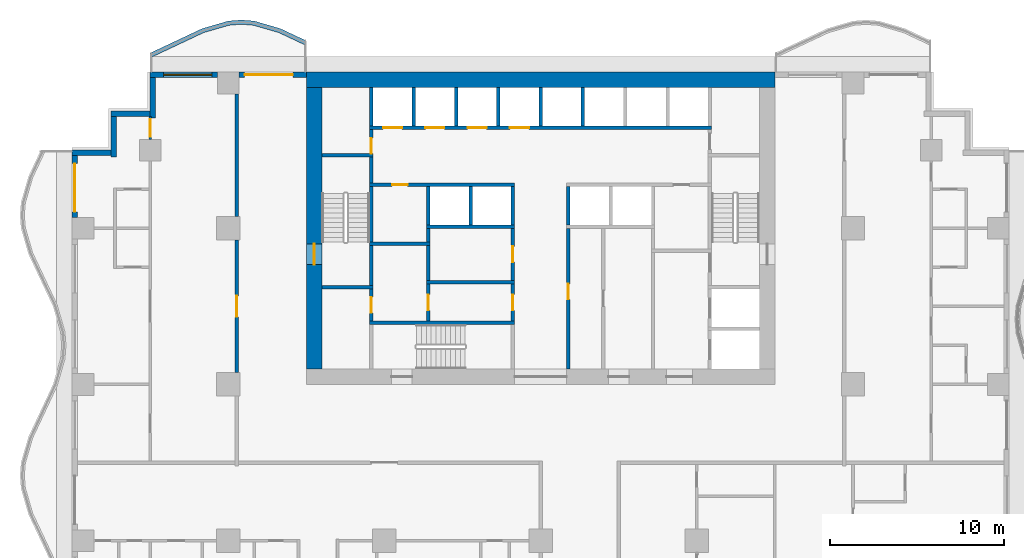
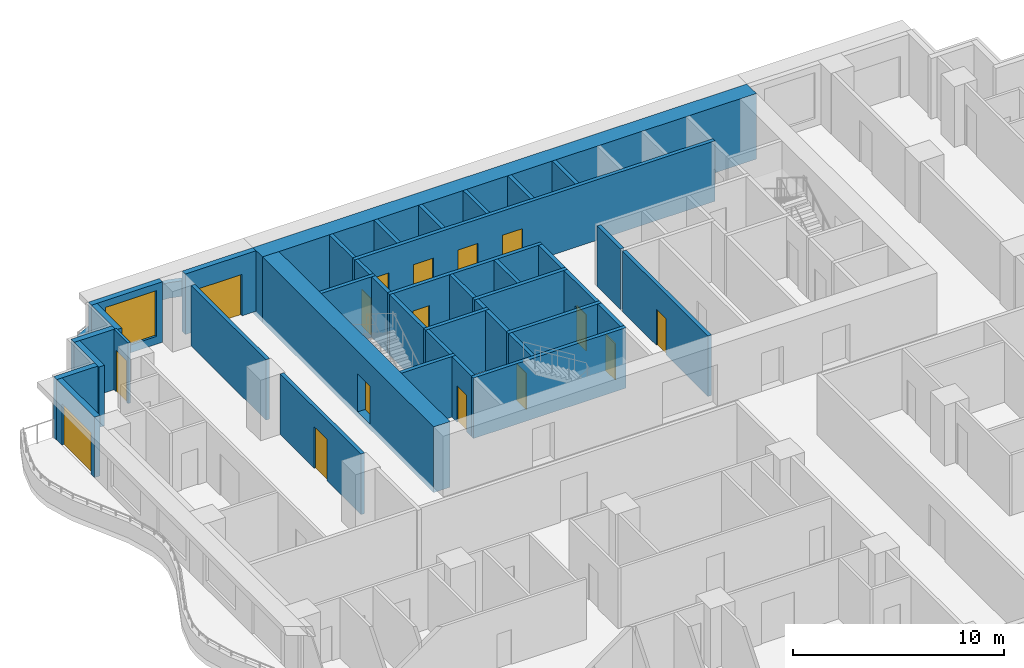
# One storey, part 5 of 14: 42 walls, 16 doors, 1 window, 17 openings.
"""IFC4 building model written with IfcOpenShell, lengths in metres."""

from ifc_helpers import new_model, si_unit, direction, frame, frame_2d, origin, place, context, subcontext, project, spatial, polyline, rectangle, outline, extrude, material, layer, layer_set, type_object, element, fill, save


model = new_model("IFC4")

# Units and contexts
model_context = context("Model", 3, precision=1e-05, world=origin(), true_north=direction((0.0, 1.0)))
body_context = subcontext(model_context, "Body", "Model", "MODEL_VIEW")
ifc_project = project(units=[si_unit("LENGTHUNIT", "METRE"), si_unit("AREAUNIT", "SQUARE_METRE"), si_unit("VOLUMEUNIT", "CUBIC_METRE"), si_unit("PLANEANGLEUNIT", "RADIAN"), si_unit("MASSUNIT", "GRAM", prefix="KILO")], contexts=[model_context])

# Site, building, storey
site_placement = place(None, origin())
site = spatial("IfcSite", under=ifc_project, at=site_placement, CompositionType="ELEMENT")
building_placement = place(site_placement, origin())
building = spatial("IfcBuilding", under=site, at=building_placement, Name="Orbiselva Terraces", CompositionType="ELEMENT")
storey_placement = place(building_placement, frame((0.0, 0.0, 107.4)))
storey = spatial("IfcBuildingStorey", under=building, at=storey_placement, Name="L27", CompositionType="ELEMENT", Elevation=107.4)

# Wall, opening, door
ifc_material_1 = material(Name="Concrete C80/95", Category="concrete")
ifc_layer_1 = layer(ifc_material_1, 0.9)
ifc_layer_set_1 = layer_set([ifc_layer_1], Name="Concrete C80/95")
wall_type_1 = type_object("IfcWallType", Name="CORE WALL 900", PredefinedType="SHEAR", material=ifc_layer_set_1)
wall_1_placement = place(storey_placement, frame((-13.05, 21.6, -0.3), z_axis=(0.0, 0.0, 1.0), x_axis=(0.0, -1.0, 0.0)))
wall_1 = element("IfcWall", 1, at=wall_1_placement, inside=storey, type_object=wall_type_1, Name="Core wall L27 west", PredefinedType="SHEAR", context=body_context, shape_type="SweptSolid", body=[
    extrude(rectangle(XDim=16.2, YDim=0.9, at=frame_2d((8.1, 0.0))), origin(), (0.0, 0.0, 1.0), 3.8),
])
opening_1_placement = place(wall_1_placement, frame((9.0, 0.0, 0.3)))
opening_1 = element("IfcOpeningElement", 2, at=opening_1_placement, cuts=wall_1, Name="Opening DS1200", PredefinedType="OPENING", context=body_context, shape_type="SweptSolid", body=[
    extrude(rectangle(XDim=1.2, YDim=2.2, at=frame_2d((0.6, 1.1))), frame((0.0, 0.46, 0.0), z_axis=(0.0, -1.0, 0.0), x_axis=(1.0, 0.0, 0.0)), (0.0, 0.0, 1.0), 0.92),
])
ifc_material_2 = material(Name="Steel fire door", Category="steel")
door_type_1 = type_object("IfcDoorType", Name="STAIR DOOR 1200", OperationType="NOTDEFINED", PredefinedType="DOOR", material=ifc_material_2)
door_1_placement = place(opening_1_placement, frame((1.2, 0.0, 0.0), z_axis=(0.0, 0.0, 1.0), x_axis=(-1.0, 0.0, 0.0)))
door_1 = element("IfcDoor", 3, at=door_1_placement, inside=storey, type_object=door_type_1, Name="L27 EXIT STAIR S1 door", OperationType="SINGLE_SWING_RIGHT", OverallHeight=2.2, OverallWidth=1.2, PredefinedType="DOOR", context=body_context, shape_type="SweptSolid", body=[
    extrude(rectangle(XDim=1.2, YDim=2.2, at=frame_2d((0.6, 1.1))), frame((0.0, 0.025, 0.0), z_axis=(0.0, -1.0, 0.0), x_axis=(1.0, 0.0, 0.0)), (0.0, 0.0, 1.0), 0.05),
])
fill(opening_1, door_1)

# Wall
ifc_layer_2 = layer(ifc_material_1, 0.9)
ifc_layer_set_2 = layer_set([ifc_layer_2], Name="Concrete C80/95")
wall_type_2 = type_object("IfcWallType", Name="CORE WALL 900 EXTERNAL", PredefinedType="SHEAR", material=ifc_layer_set_2)
wall_2_placement = place(storey_placement, frame((13.5, 22.05, -0.3), z_axis=(0.0, 0.0, 1.0), x_axis=(-1.0, 0.0, 0.0)))
element("IfcWall", 4, at=wall_2_placement, inside=storey, type_object=wall_type_2, Name="Core wall L27 north", PredefinedType="SHEAR", context=body_context, shape_type="SweptSolid", body=[
    extrude(rectangle(XDim=27.0, YDim=0.9, at=frame_2d((13.5, 0.0))), origin(), (0.0, 0.0, 1.0), 3.8),
])

# Wall, opening, door
ifc_material_3 = material(Name="Masonry blockwork", Category="masonry")
ifc_layer_3 = layer(ifc_material_3, 0.2)
ifc_layer_set_3 = layer_set([ifc_layer_3], Name="Masonry blockwork")
wall_type_3 = type_object("IfcWallType", Name="CORE-WALL-PARTITION-200", PredefinedType="PARTITIONING", material=ifc_layer_set_3)
wall_3_placement = place(storey_placement, frame((-9.75, 8.15, 0.0), z_axis=(0.0, 0.0, 1.0), x_axis=(0.0, 1.0, 0.0)))
wall_3 = element("IfcWall", 5, at=wall_3_placement, inside=storey, type_object=wall_type_3, Name="L27 core wall 05", PredefinedType="PARTITIONING", context=body_context, shape_type="SweptSolid", body=[
    extrude(rectangle(XDim=1.85, YDim=0.2, at=frame_2d((0.925, 0.0))), origin(), (0.0, 0.0, 1.0), 3.5),
])
opening_2_placement = place(wall_3_placement, frame((0.475, 0.0, 0.0)))
opening_2 = element("IfcOpeningElement", 6, at=opening_2_placement, cuts=wall_3, Name="Opening DR900", PredefinedType="OPENING", context=body_context, shape_type="SweptSolid", body=[
    extrude(rectangle(XDim=0.9, YDim=2.1, at=frame_2d((0.45, 1.05))), frame((0.0, 0.11, 0.0), z_axis=(0.0, -1.0, 0.0), x_axis=(1.0, 0.0, 0.0)), (0.0, 0.0, 1.0), 0.22),
])
door_type_2 = type_object("IfcDoorType", Name="ROOM DOOR 900", OperationType="NOTDEFINED", PredefinedType="DOOR", material=ifc_material_2)
door_2_placement = place(opening_2_placement, origin())
door_2 = element("IfcDoor", 7, at=door_2_placement, inside=storey, type_object=door_type_2, Name="L27 CLEANERS STORE door", OperationType="SINGLE_SWING_RIGHT", OverallHeight=2.1, OverallWidth=0.9, PredefinedType="DOOR", context=body_context, shape_type="SweptSolid", body=[
    extrude(rectangle(XDim=0.9, YDim=2.1, at=frame_2d((0.45, 1.05))), frame((0.0, 0.025, 0.0), z_axis=(0.0, -1.0, 0.0), x_axis=(1.0, 0.0, 0.0)), (0.0, 0.0, 1.0), 0.05),
])
fill(opening_2, door_2)

wall_4_placement = place(storey_placement, frame((-9.75, 17.8, 0.0), z_axis=(0.0, 0.0, 1.0), x_axis=(0.0, 1.0, 0.0)))
wall_4 = element("IfcWall", 8, at=wall_4_placement, inside=storey, type_object=wall_type_3, Name="L27 core wall 11", PredefinedType="PARTITIONING", context=body_context, shape_type="SweptSolid", body=[
    extrude(rectangle(XDim=1.4, YDim=0.2, at=frame_2d((0.7, 0.0))), origin(), (0.0, 0.0, 1.0), 3.5),
])
opening_3_placement = place(wall_4_placement, origin())
opening_3 = element("IfcOpeningElement", 9, at=opening_3_placement, cuts=wall_4, Name="Opening DR900", PredefinedType="OPENING", context=body_context, shape_type="SweptSolid", body=[
    extrude(rectangle(XDim=0.9, YDim=2.1, at=frame_2d((0.45, 1.05))), frame((0.0, 0.11, 0.0), z_axis=(0.0, -1.0, 0.0), x_axis=(1.0, 0.0, 0.0)), (0.0, 0.0, 1.0), 0.22),
])
door_3_placement = place(opening_3_placement, origin())
door_3 = element("IfcDoor", 10, at=door_3_placement, inside=storey, type_object=door_type_2, Name="L27 ELECTRICAL RISER ROOM door", OperationType="SINGLE_SWING_LEFT", OverallHeight=2.1, OverallWidth=0.9, PredefinedType="DOOR", context=body_context, shape_type="SweptSolid", body=[
    extrude(rectangle(XDim=0.9, YDim=2.1, at=frame_2d((0.45, 1.05))), frame((0.0, 0.025, 0.0), z_axis=(0.0, -1.0, 0.0), x_axis=(1.0, 0.0, 0.0)), (0.0, 0.0, 1.0), 0.05),
])
fill(opening_3, door_3)

wall_5_placement = place(storey_placement, frame((-6.475, 8.15, 0.0), z_axis=(0.0, 0.0, 1.0), x_axis=(0.0, 1.0, 0.0)))
wall_5 = element("IfcWall", 11, at=wall_5_placement, inside=storey, type_object=wall_type_3, Name="L27 core wall 15", PredefinedType="PARTITIONING", context=body_context, shape_type="SweptSolid", body=[
    extrude(rectangle(XDim=2.15, YDim=0.2, at=frame_2d((1.075, 0.0))), origin(), (0.0, 0.0, 1.0), 3.5),
])
opening_4_placement = place(wall_5_placement, frame((0.625, 0.0, 0.0)))
opening_4 = element("IfcOpeningElement", 12, at=opening_4_placement, cuts=wall_5, Name="Opening DR900", PredefinedType="OPENING", context=body_context, shape_type="SweptSolid", body=[
    extrude(rectangle(XDim=0.9, YDim=2.1, at=frame_2d((0.45, 1.05))), frame((0.0, 0.11, 0.0), z_axis=(0.0, -1.0, 0.0), x_axis=(1.0, 0.0, 0.0)), (0.0, 0.0, 1.0), 0.22),
])
door_4_placement = place(opening_4_placement, origin())
door_4 = element("IfcDoor", 13, at=door_4_placement, inside=storey, type_object=door_type_2, Name="L27 STAFF ROOM door", OperationType="SINGLE_SWING_LEFT", OverallHeight=2.1, OverallWidth=0.9, PredefinedType="DOOR", context=body_context, shape_type="SweptSolid", body=[
    extrude(rectangle(XDim=0.9, YDim=2.1, at=frame_2d((0.45, 1.05))), frame((0.0, 0.025, 0.0), z_axis=(0.0, -1.0, 0.0), x_axis=(1.0, 0.0, 0.0)), (0.0, 0.0, 1.0), 0.05),
])
fill(opening_4, door_4)

# Walls
wall_6_placement = place(storey_placement, frame((-6.475, 10.5, 0.0), z_axis=(0.0, 0.0, 1.0), x_axis=(0.0, 1.0, 0.0)))
element("IfcWall", 14, at=wall_6_placement, inside=storey, type_object=wall_type_3, Name="L27 core wall 17", PredefinedType="PARTITIONING", context=body_context, shape_type="SweptSolid", body=[
    extrude(rectangle(XDim=2.0, YDim=0.2, at=frame_2d((1.0, 0.0))), origin(), (0.0, 0.0, 1.0), 3.5),
])
wall_7_placement = place(storey_placement, frame((-6.475, 12.7, 0.0), z_axis=(0.0, 0.0, 1.0), x_axis=(0.0, 1.0, 0.0)))
element("IfcWall", 15, at=wall_7_placement, inside=storey, type_object=wall_type_3, Name="L27 core wall 18", PredefinedType="PARTITIONING", context=body_context, shape_type="SweptSolid", body=[
    extrude(rectangle(XDim=0.8, YDim=0.2, at=frame_2d((0.4, 0.0))), origin(), (0.0, 0.0, 1.0), 3.5),
])

# Wall, opening, door
wall_8_placement = place(storey_placement, frame((-1.6, 8.15, 0.0), z_axis=(0.0, 0.0, 1.0), x_axis=(0.0, 1.0, 0.0)))
wall_8 = element("IfcWall", 16, at=wall_8_placement, inside=storey, type_object=wall_type_3, Name="L27 core wall 25", PredefinedType="PARTITIONING", context=body_context, shape_type="SweptSolid", body=[
    extrude(rectangle(XDim=2.15, YDim=0.2, at=frame_2d((1.075, 0.0))), origin(), (0.0, 0.0, 1.0), 3.5),
])
opening_5_placement = place(wall_8_placement, frame((0.625, 0.0, 0.0)))
opening_5 = element("IfcOpeningElement", 17, at=opening_5_placement, cuts=wall_8, Name="Opening DR900", PredefinedType="OPENING", context=body_context, shape_type="SweptSolid", body=[
    extrude(rectangle(XDim=0.9, YDim=2.1, at=frame_2d((0.45, 1.05))), frame((0.0, 0.11, 0.0), z_axis=(0.0, -1.0, 0.0), x_axis=(1.0, 0.0, 0.0)), (0.0, 0.0, 1.0), 0.22),
])
door_5_placement = place(opening_5_placement, origin())
door_5 = element("IfcDoor", 18, at=door_5_placement, inside=storey, type_object=door_type_2, Name="L27 SERVICE PANTRY door", OperationType="SINGLE_SWING_LEFT", OverallHeight=2.1, OverallWidth=0.9, PredefinedType="DOOR", context=body_context, shape_type="SweptSolid", body=[
    extrude(rectangle(XDim=0.9, YDim=2.1, at=frame_2d((0.45, 1.05))), frame((0.0, 0.025, 0.0), z_axis=(0.0, -1.0, 0.0), x_axis=(1.0, 0.0, 0.0)), (0.0, 0.0, 1.0), 0.05),
])
fill(opening_5, door_5)

wall_9_placement = place(storey_placement, frame((-1.6, 10.5, 0.0), z_axis=(0.0, 0.0, 1.0), x_axis=(0.0, 1.0, 0.0)))
wall_9 = element("IfcWall", 19, at=wall_9_placement, inside=storey, type_object=wall_type_3, Name="L27 core wall 26", PredefinedType="PARTITIONING", context=body_context, shape_type="SweptSolid", body=[
    extrude(rectangle(XDim=3.0, YDim=0.2, at=frame_2d((1.5, 0.0))), origin(), (0.0, 0.0, 1.0), 3.5),
])
opening_6_placement = place(wall_9_placement, frame((1.05, 0.0, 0.0)))
opening_6 = element("IfcOpeningElement", 20, at=opening_6_placement, cuts=wall_9, Name="Opening DR900", PredefinedType="OPENING", context=body_context, shape_type="SweptSolid", body=[
    extrude(rectangle(XDim=0.9, YDim=2.1, at=frame_2d((0.45, 1.05))), frame((0.0, 0.11, 0.0), z_axis=(0.0, -1.0, 0.0), x_axis=(1.0, 0.0, 0.0)), (0.0, 0.0, 1.0), 0.22),
])
door_6_placement = place(opening_6_placement, origin())
door_6 = element("IfcDoor", 21, at=door_6_placement, inside=storey, type_object=door_type_2, Name="L27 LINEN STORE door", OperationType="SINGLE_SWING_RIGHT", OverallHeight=2.1, OverallWidth=0.9, PredefinedType="DOOR", context=body_context, shape_type="SweptSolid", body=[
    extrude(rectangle(XDim=0.9, YDim=2.1, at=frame_2d((0.45, 1.05))), frame((0.0, 0.025, 0.0), z_axis=(0.0, -1.0, 0.0), x_axis=(1.0, 0.0, 0.0)), (0.0, 0.0, 1.0), 0.05),
])
fill(opening_6, door_6)

# Walls
ifc_material_4 = material(Name="Concrete C40/50", Category="concrete")
ifc_layer_4 = layer(ifc_material_4, 0.2)
ifc_layer_set_4 = layer_set([ifc_layer_4], Name="Concrete C40/50")
wall_type_4 = type_object("IfcWallType", Name="CORE-WALL-SHAFT-200", PredefinedType="PARTITIONING", material=ifc_layer_set_4)
for number, where, z_axis, x_axis, name in (
    (22, (-9.75, 19.4, 0.0), (0.0, 0.0, 1.0), (0.0, 1.0, 0.0), "L27 core wall 13"),
    (23, (-7.3125, 19.4, 0.0), (0.0, 0.0, 1.0), (0.0, 1.0, 0.0), "L27 core wall 14"),
    (24, (-6.475, 13.7, 0.0), (0.0, 0.0, 1.0), (0.0, 1.0, 0.0), "L27 core wall 20"),
    (25, (-4.875, 19.4, 0.0), (0.0, 0.0, 1.0), (0.0, 1.0, 0.0), "L27 core wall 21"),
    (26, (-4.0375, 13.7, 0.0), (0.0, 0.0, 1.0), (0.0, 1.0, 0.0), "L27 core wall 22"),
    (27, (-2.4375, 19.4, 0.0), (0.0, 0.0, 1.0), (0.0, 1.0, 0.0), "L27 core wall 23"),
    (28, (-1.6, 13.7, 0.0), (0.0, 0.0, 1.0), (0.0, 1.0, 0.0), "L27 core wall 27"),
    (29, (0.0, 19.4, 0.0), (0.0, 0.0, 1.0), (0.0, 1.0, 0.0), "L27 core wall 28"),
    (30, (1.6, 13.7, 0.0), (0.0, 0.0, 1.0), (0.0, 1.0, 0.0), "L27 core wall 31"),
    (31, (2.4375, 19.4, 0.0), (0.0, 0.0, 1.0), (0.0, 1.0, 0.0), "L27 core wall 33"),
):
    element("IfcWall", number, at=place(storey_placement, frame(where, z_axis=z_axis, x_axis=x_axis)), inside=storey, type_object=wall_type_4, Name=name, PredefinedType="PARTITIONING", context=body_context, shape_type="SweptSolid", body=[
        extrude(rectangle(XDim=2.2, YDim=0.2, at=frame_2d((1.1, 0.0))), origin(), (0.0, 0.0, 1.0), 3.5),
    ])
ifc_material_5 = material(Name="Concrete C60/75", Category="concrete")
ifc_layer_5 = layer(ifc_material_5, 0.2)
ifc_layer_set_5 = layer_set([ifc_layer_5], Name="Concrete C60/75")
wall_type_5 = type_object("IfcWallType", Name="CORE-WALL-SHEAR-200", PredefinedType="SHEAR", material=ifc_layer_set_5)
for number, where, z_axis, x_axis, name in (
    (32, (-12.6, 10.1, 0.0), (0.0, 0.0, 1.0), (1.0, 0.0, 0.0), "L27 core wall 01"),
    (33, (-12.6, 17.7, 0.0), (0.0, 0.0, 1.0), (1.0, 0.0, 0.0), "L27 core wall 02"),
):
    element("IfcWall", number, at=place(storey_placement, frame(where, z_axis=z_axis, x_axis=x_axis)), inside=storey, type_object=wall_type_5, Name=name, PredefinedType="SHEAR", context=body_context, shape_type="SweptSolid", body=[
        extrude(rectangle(XDim=2.95, YDim=0.2, at=frame_2d((1.475, 0.0))), origin(), (0.0, 0.0, 1.0), 3.5),
    ])
wall_10_placement = place(storey_placement, frame((-9.85, 8.05, 0.0), z_axis=(0.0, 0.0, 1.0), x_axis=(1.0, 0.0, 0.0)))
element("IfcWall", 34, at=wall_10_placement, inside=storey, type_object=wall_type_5, Name="L27 core wall 04", PredefinedType="SHEAR", context=body_context, shape_type="SweptSolid", body=[
    extrude(rectangle(XDim=8.35, YDim=0.2, at=frame_2d((4.175, 0.0))), origin(), (0.0, 0.0, 1.0), 3.5),
])
wall_11_placement = place(storey_placement, frame((-9.75, 10.2, 0.0), z_axis=(0.0, 0.0, 1.0), x_axis=(0.0, 1.0, 0.0)))
element("IfcWall", 35, at=wall_11_placement, inside=storey, type_object=wall_type_5, Name="L27 core wall 06", PredefinedType="SHEAR", context=body_context, shape_type="SweptSolid", body=[
    extrude(rectangle(XDim=2.3, YDim=0.2, at=frame_2d((1.15, 0.0))), origin(), (0.0, 0.0, 1.0), 3.5),
])
wall_12_placement = place(storey_placement, frame((-9.85, 12.6, 0.0), z_axis=(0.0, 0.0, 1.0), x_axis=(1.0, 0.0, 0.0)))
element("IfcWall", 36, at=wall_12_placement, inside=storey, type_object=wall_type_5, Name="L27 core wall 07", PredefinedType="SHEAR", context=body_context, shape_type="SweptSolid", body=[
    extrude(rectangle(XDim=3.475, YDim=0.2, at=frame_2d((1.7375, 0.0))), origin(), (0.0, 0.0, 1.0), 3.5),
])
wall_13_placement = place(storey_placement, frame((-9.75, 12.7, 0.0), z_axis=(0.0, 0.0, 1.0), x_axis=(0.0, 1.0, 0.0)))
element("IfcWall", 37, at=wall_13_placement, inside=storey, type_object=wall_type_5, Name="L27 core wall 08", PredefinedType="SHEAR", context=body_context, shape_type="SweptSolid", body=[
    extrude(rectangle(XDim=3.2, YDim=0.2, at=frame_2d((1.6, 0.0))), origin(), (0.0, 0.0, 1.0), 3.5),
])

# Wall, opening, door
wall_14_placement = place(storey_placement, frame((-1.5, 16.0, 0.0), z_axis=(0.0, 0.0, 1.0), x_axis=(-1.0, 0.0, 0.0)))
wall_14 = element("IfcWall", 38, at=wall_14_placement, inside=storey, type_object=wall_type_5, Name="L27 core wall 09", PredefinedType="SHEAR", context=body_context, shape_type="SweptSolid", body=[
    extrude(rectangle(XDim=8.35, YDim=0.2, at=frame_2d((4.175, 0.0))), origin(), (0.0, 0.0, 1.0), 3.5),
])
opening_7_placement = place(wall_14_placement, frame((6.1625, 0.0, 0.0)))
opening_7 = element("IfcOpeningElement", 39, at=opening_7_placement, cuts=wall_14, Name="Opening DR900", PredefinedType="OPENING", context=body_context, shape_type="SweptSolid", body=[
    extrude(rectangle(XDim=0.9, YDim=2.1, at=frame_2d((0.45, 1.05))), frame((0.0, 0.11, 0.0), z_axis=(0.0, -1.0, 0.0), x_axis=(1.0, 0.0, 0.0)), (0.0, 0.0, 1.0), 0.22),
])
door_7_placement = place(opening_7_placement, origin())
door_7 = element("IfcDoor", 40, at=door_7_placement, inside=storey, type_object=door_type_2, Name="L27 IT ROOM door", OperationType="SINGLE_SWING_RIGHT", OverallHeight=2.1, OverallWidth=0.9, PredefinedType="DOOR", context=body_context, shape_type="SweptSolid", body=[
    extrude(rectangle(XDim=0.9, YDim=2.1, at=frame_2d((0.45, 1.05))), frame((0.0, 0.025, 0.0), z_axis=(0.0, -1.0, 0.0), x_axis=(1.0, 0.0, 0.0)), (0.0, 0.0, 1.0), 0.05),
])
fill(opening_7, door_7)

# Wall
wall_15_placement = place(storey_placement, frame((-9.75, 16.1, 0.0), z_axis=(0.0, 0.0, 1.0), x_axis=(0.0, 1.0, 0.0)))
element("IfcWall", 41, at=wall_15_placement, inside=storey, type_object=wall_type_5, Name="L27 core wall 10", PredefinedType="SHEAR", context=body_context, shape_type="SweptSolid", body=[
    extrude(rectangle(XDim=1.5, YDim=0.2, at=frame_2d((0.75, 0.0))), origin(), (0.0, 0.0, 1.0), 3.5),
])

# Wall, openings, doors
wall_16_placement = place(storey_placement, frame((-9.85, 19.3, 0.0), z_axis=(0.0, 0.0, 1.0), x_axis=(1.0, 0.0, 0.0)))
wall_16 = element("IfcWall", 42, at=wall_16_placement, inside=storey, type_object=wall_type_5, Name="L27 core wall 12", PredefinedType="SHEAR", context=body_context, shape_type="SweptSolid", body=[
    extrude(rectangle(XDim=19.7, YDim=0.2, at=frame_2d((9.85, 0.0))), origin(), (0.0, 0.0, 1.0), 3.5),
])
opening_8_placement = place(wall_16_placement, frame((0.76875, 0.0, 0.0)))
opening_8 = element("IfcOpeningElement", 43, at=opening_8_placement, cuts=wall_16, Name="Opening LD-LR1", PredefinedType="OPENING", context=body_context, shape_type="SweptSolid", body=[
    extrude(rectangle(XDim=1.1, YDim=2.1, at=frame_2d((0.55, 1.05))), frame((0.0, 0.11, 0.0), z_axis=(0.0, -1.0, 0.0), x_axis=(1.0, 0.0, 0.0)), (0.0, 0.0, 1.0), 0.22),
])
opening_9_placement = place(wall_16_placement, frame((3.20625, 0.0, 0.0)))
opening_9 = element("IfcOpeningElement", 44, at=opening_9_placement, cuts=wall_16, Name="Opening LD-LR2", PredefinedType="OPENING", context=body_context, shape_type="SweptSolid", body=[
    extrude(rectangle(XDim=1.1, YDim=2.1, at=frame_2d((0.55, 1.05))), frame((0.0, 0.11, 0.0), z_axis=(0.0, -1.0, 0.0), x_axis=(1.0, 0.0, 0.0)), (0.0, 0.0, 1.0), 0.22),
])
opening_10_placement = place(wall_16_placement, frame((5.64375, 0.0, 0.0)))
opening_10 = element("IfcOpeningElement", 45, at=opening_10_placement, cuts=wall_16, Name="Opening LD-LR3", PredefinedType="OPENING", context=body_context, shape_type="SweptSolid", body=[
    extrude(rectangle(XDim=1.1, YDim=2.1, at=frame_2d((0.55, 1.05))), frame((0.0, 0.11, 0.0), z_axis=(0.0, -1.0, 0.0), x_axis=(1.0, 0.0, 0.0)), (0.0, 0.0, 1.0), 0.22),
])
opening_11_placement = place(wall_16_placement, frame((8.08125, 0.0, 0.0)))
opening_11 = element("IfcOpeningElement", 46, at=opening_11_placement, cuts=wall_16, Name="Opening LD-LR4", PredefinedType="OPENING", context=body_context, shape_type="SweptSolid", body=[
    extrude(rectangle(XDim=1.1, YDim=2.1, at=frame_2d((0.55, 1.05))), frame((0.0, 0.11, 0.0), z_axis=(0.0, -1.0, 0.0), x_axis=(1.0, 0.0, 0.0)), (0.0, 0.0, 1.0), 0.22),
])
ifc_material_6 = material(Name="Stainless steel landing door", Category="steel")
door_type_3 = type_object("IfcDoorType", Name="LANDING DOOR 1100", OperationType="SLIDING_TO_LEFT", PredefinedType="DOOR", material=ifc_material_6)
door_8_placement = place(opening_8_placement, origin())
door_8 = element("IfcDoor", 47, at=door_8_placement, inside=storey, type_object=door_type_3, Name="L27 landing door LR1", OperationType="SLIDING_TO_LEFT", OverallHeight=2.1, OverallWidth=1.1, PredefinedType="DOOR", context=body_context, shape_type="SweptSolid", body=[
    extrude(rectangle(XDim=1.1, YDim=2.1, at=frame_2d((0.55, 1.05))), frame((0.0, 0.025, 0.0), z_axis=(0.0, -1.0, 0.0), x_axis=(1.0, 0.0, 0.0)), (0.0, 0.0, 1.0), 0.05),
])
fill(opening_8, door_8)
door_9_placement = place(opening_9_placement, origin())
door_9 = element("IfcDoor", 48, at=door_9_placement, inside=storey, type_object=door_type_3, Name="L27 landing door LR2", OperationType="SLIDING_TO_LEFT", OverallHeight=2.1, OverallWidth=1.1, PredefinedType="DOOR", context=body_context, shape_type="SweptSolid", body=[
    extrude(rectangle(XDim=1.1, YDim=2.1, at=frame_2d((0.55, 1.05))), frame((0.0, 0.025, 0.0), z_axis=(0.0, -1.0, 0.0), x_axis=(1.0, 0.0, 0.0)), (0.0, 0.0, 1.0), 0.05),
])
fill(opening_9, door_9)
door_10_placement = place(opening_10_placement, origin())
door_10 = element("IfcDoor", 49, at=door_10_placement, inside=storey, type_object=door_type_3, Name="L27 landing door LR3", OperationType="SLIDING_TO_LEFT", OverallHeight=2.1, OverallWidth=1.1, PredefinedType="DOOR", context=body_context, shape_type="SweptSolid", body=[
    extrude(rectangle(XDim=1.1, YDim=2.1, at=frame_2d((0.55, 1.05))), frame((0.0, 0.025, 0.0), z_axis=(0.0, -1.0, 0.0), x_axis=(1.0, 0.0, 0.0)), (0.0, 0.0, 1.0), 0.05),
])
fill(opening_10, door_10)
door_11_placement = place(opening_11_placement, origin())
door_11 = element("IfcDoor", 50, at=door_11_placement, inside=storey, type_object=door_type_3, Name="L27 landing door LR4", OperationType="SLIDING_TO_LEFT", OverallHeight=2.1, OverallWidth=1.1, PredefinedType="DOOR", context=body_context, shape_type="SweptSolid", body=[
    extrude(rectangle(XDim=1.1, YDim=2.1, at=frame_2d((0.55, 1.05))), frame((0.0, 0.025, 0.0), z_axis=(0.0, -1.0, 0.0), x_axis=(1.0, 0.0, 0.0)), (0.0, 0.0, 1.0), 0.05),
])
fill(opening_11, door_11)

# Walls
for number, where, z_axis, x_axis, name in (
    (51, (-6.575, 10.4, 0.0), (0.0, 0.0, 1.0), (1.0, 0.0, 0.0), "L27 core wall 16"),
    (52, (-6.575, 13.6, 0.0), (0.0, 0.0, 1.0), (1.0, 0.0, 0.0), "L27 core wall 19"),
):
    element("IfcWall", number, at=place(storey_placement, frame(where, z_axis=z_axis, x_axis=x_axis)), inside=storey, type_object=wall_type_5, Name=name, PredefinedType="SHEAR", context=body_context, shape_type="SweptSolid", body=[
        extrude(rectangle(XDim=5.075, YDim=0.2, at=frame_2d((2.5375, 0.0))), origin(), (0.0, 0.0, 1.0), 3.5),
    ])

# Wall, opening, door
wall_17_placement = place(storey_placement, frame((1.6, 13.5, 0.0), z_axis=(0.0, 0.0, 1.0), x_axis=(0.0, -1.0, 0.0)))
wall_17 = element("IfcWall", 53, at=wall_17_placement, inside=storey, type_object=wall_type_5, Name="L27 core wall 29", PredefinedType="SHEAR", context=body_context, shape_type="SweptSolid", body=[
    extrude(rectangle(XDim=8.1, YDim=0.2, at=frame_2d((4.05, 0.0))), origin(), (0.0, 0.0, 1.0), 3.5),
])
opening_12_placement = place(wall_17_placement, frame((3.2, 0.0, 0.0)))
opening_12 = element("IfcOpeningElement", 54, at=opening_12_placement, cuts=wall_17, Name="Opening DR900", PredefinedType="OPENING", context=body_context, shape_type="SweptSolid", body=[
    extrude(rectangle(XDim=0.9, YDim=2.1, at=frame_2d((0.45, 1.05))), frame((0.0, 0.11, 0.0), z_axis=(0.0, -1.0, 0.0), x_axis=(1.0, 0.0, 0.0)), (0.0, 0.0, 1.0), 0.22),
])
door_12_placement = place(opening_12_placement, origin())
door_12 = element("IfcDoor", 55, at=door_12_placement, inside=storey, type_object=door_type_2, Name="L27 COMMS ROOM door", OperationType="SINGLE_SWING_LEFT", OverallHeight=2.1, OverallWidth=0.9, PredefinedType="DOOR", context=body_context, shape_type="SweptSolid", body=[
    extrude(rectangle(XDim=0.9, YDim=2.1, at=frame_2d((0.45, 1.05))), frame((0.0, 0.025, 0.0), z_axis=(0.0, -1.0, 0.0), x_axis=(1.0, 0.0, 0.0)), (0.0, 0.0, 1.0), 0.05),
])
fill(opening_12, door_12)

# Wall
ifc_layer_6 = layer(ifc_material_4, 0.25)
ifc_layer_set_6 = layer_set([ifc_layer_6], Name="Concrete C40/50")
wall_type_6 = type_object("IfcWallType", Name="ENV-PLANTER-250x900", PredefinedType="USERDEFINED", material=ifc_layer_set_6)
wall_18_placement = place(storey_placement, origin())
element("IfcWall", 56, at=wall_18_placement, inside=storey, type_object=wall_type_6, Name="Balcony planter L27 NW", ObjectType="PLANTER", PredefinedType="USERDEFINED", context=body_context, shape_type="SweptSolid", body=[
    extrude(outline(polyline([(-13.5, 24.3), (-15.0, 25.005342), (-16.5, 25.441268), (-17.25, 25.5), (-18.0, 25.441268), (-19.5, 25.005342), (-21.0, 24.3), (-22.5, 23.594658), (-22.393617, 23.368422), (-20.893617, 24.073764), (-19.411382, 24.770753), (-17.954886, 25.194035), (-17.25, 25.249235), (-16.545114, 25.194035), (-15.088618, 24.770753), (-13.606383, 24.073764), (-13.5, 24.3)])), origin(), (0.0, 0.0, 1.0), 0.9),
])

# Wall, opening, door
ifc_material_7 = material(Name="Terracotta cladding on masonry backing", Category="masonry")
ifc_layer_7 = layer(ifc_material_7, 0.3)
ifc_layer_set_7 = layer_set([ifc_layer_7], Name="Terracotta cladding on masonry backing")
wall_type_7 = type_object("IfcWallType", Name="ENV-WALL-TERRACOTTA-300", PredefinedType="SOLIDWALL", material=ifc_layer_set_7)
wall_19_placement = place(storey_placement, frame((-17.375, 22.35, 0.0), z_axis=(0.0, 0.0, 1.0), x_axis=(1.0, 0.0, 0.0)))
wall_19 = element("IfcWall", 57, at=wall_19_placement, inside=storey, type_object=wall_type_7, Name="Facade wall L27 NW", PredefinedType="SOLIDWALL", context=body_context, shape_type="SweptSolid", body=[
    extrude(rectangle(XDim=3.875, YDim=0.3, at=frame_2d((1.9375, 0.0))), origin(), (0.0, 0.0, 1.0), 3.5),
])
opening_13_placement = place(wall_19_placement, frame((0.325, 0.0, 0.0)))
opening_13 = element("IfcOpeningElement", 58, at=opening_13_placement, cuts=wall_19, Name="Opening Z2-D-E16", PredefinedType="OPENING", context=body_context, shape_type="SweptSolid", body=[
    extrude(rectangle(XDim=2.775, YDim=2.4, at=frame_2d((1.3875, 1.2))), frame((0.0, 0.16, 0.0), z_axis=(0.0, -1.0, 0.0), x_axis=(1.0, 0.0, 0.0)), (0.0, 0.0, 1.0), 0.32),
])
ifc_material_8 = material(Name="Clear low-e glazing in aluminium frame", Category="aluminium")
door_type_4 = type_object("IfcDoorType", Name="BALCONY DOOR 2775 X 2400", OperationType="DOUBLE_DOOR_SLIDING", PredefinedType="DOOR", material=ifc_material_8)
door_13_placement = place(opening_13_placement, origin())
door_13 = element("IfcDoor", 59, at=door_13_placement, inside=storey, type_object=door_type_4, Name="Z2-D-E16", OperationType="SINGLE_SWING_LEFT", OverallHeight=2.4, OverallWidth=2.775, PredefinedType="DOOR", context=body_context, shape_type="SweptSolid", body=[
    extrude(rectangle(XDim=2.775, YDim=2.4, at=frame_2d((1.3875, 1.2))), frame((0.0, 0.025, 0.0), z_axis=(0.0, -1.0, 0.0), x_axis=(1.0, 0.0, 0.0)), (0.0, 0.0, 1.0), 0.05),
])
fill(opening_13, door_13)

# Wall, opening, window
wall_20_placement = place(storey_placement, frame((-22.5, 22.35, 0.0), z_axis=(0.0, 0.0, 1.0), x_axis=(1.0, 0.0, 0.0)))
wall_20 = element("IfcWall", 60, at=wall_20_placement, inside=storey, type_object=wall_type_7, Name="Facade wall L27 NW", PredefinedType="SOLIDWALL", context=body_context, shape_type="SweptSolid", body=[
    extrude(rectangle(XDim=3.875, YDim=0.3, at=frame_2d((1.9375, 0.0))), origin(), (0.0, 0.0, 1.0), 3.5),
])
opening_14_placement = place(wall_20_placement, frame((0.775, 0.0, 0.45)))
opening_14 = element("IfcOpeningElement", 61, at=opening_14_placement, cuts=wall_20, Name="Opening WN6", PredefinedType="OPENING", context=body_context, shape_type="SweptSolid", body=[
    extrude(rectangle(XDim=2.775, YDim=2.65, at=frame_2d((1.3875, 1.325))), frame((0.0, 0.16, 0.0), z_axis=(0.0, -1.0, 0.0), x_axis=(1.0, 0.0, 0.0)), (0.0, 0.0, 1.0), 0.32),
])
window_type = type_object("IfcWindowType", Name="WINDOW 2775 X 2650 S450", PartitioningType="TRIPLE_PANEL_VERTICAL", PredefinedType="WINDOW", material=ifc_material_8)
window_placement = place(opening_14_placement, origin())
window = element("IfcWindow", 62, at=window_placement, inside=storey, type_object=window_type, Name="Window L27 NW", OverallHeight=2.65, OverallWidth=2.775, PartitioningType="SINGLE_PANEL", PredefinedType="WINDOW", context=body_context, shape_type="SweptSolid", body=[
    extrude(rectangle(XDim=2.775, YDim=2.65, at=frame_2d((1.3875, 1.325))), frame((0.0, 0.03, 0.0), z_axis=(0.0, -1.0, 0.0), x_axis=(1.0, 0.0, 0.0)), (0.0, 0.0, 1.0), 0.06),
])
fill(opening_14, window)

# Walls
wall_21_placement = place(storey_placement, frame((-22.35, 19.85, 0.0), z_axis=(0.0, 0.0, 1.0), x_axis=(0.0, 1.0, 0.0)))
element("IfcWall", 63, at=wall_21_placement, inside=storey, type_object=wall_type_7, Name="Facade wall L27 STEP", PredefinedType="SOLIDWALL", context=body_context, shape_type="SweptSolid", body=[
    extrude(rectangle(XDim=2.35, YDim=0.3, at=frame_2d((1.175, 0.0))), origin(), (0.0, 0.0, 1.0), 3.5),
])
wall_22_placement = place(storey_placement, frame((-24.75, 20.1, 0.0), z_axis=(0.0, 0.0, 1.0), x_axis=(1.0, 0.0, 0.0)))
element("IfcWall", 64, at=wall_22_placement, inside=storey, type_object=wall_type_7, Name="Facade wall L27 STEP", PredefinedType="SOLIDWALL", context=body_context, shape_type="SweptSolid", body=[
    extrude(rectangle(XDim=2.25, YDim=0.3, at=frame_2d((1.125, 0.0))), origin(), (0.0, 0.0, 1.0), 3.5),
])
wall_23_placement = place(storey_placement, frame((-24.6, 17.6, 0.0), z_axis=(0.0, 0.0, 1.0), x_axis=(0.0, 1.0, 0.0)))
element("IfcWall", 65, at=wall_23_placement, inside=storey, type_object=wall_type_7, Name="Facade wall L27 STEP", PredefinedType="SOLIDWALL", context=body_context, shape_type="SweptSolid", body=[
    extrude(rectangle(XDim=2.35, YDim=0.3, at=frame_2d((1.175, 0.0))), origin(), (0.0, 0.0, 1.0), 3.5),
])
wall_24_placement = place(storey_placement, frame((-27.0, 17.85, 0.0), z_axis=(0.0, 0.0, 1.0), x_axis=(1.0, 0.0, 0.0)))
element("IfcWall", 66, at=wall_24_placement, inside=storey, type_object=wall_type_7, Name="Facade wall L27 STEP", PredefinedType="SOLIDWALL", context=body_context, shape_type="SweptSolid", body=[
    extrude(rectangle(XDim=2.25, YDim=0.3, at=frame_2d((1.125, 0.0))), origin(), (0.0, 0.0, 1.0), 3.5),
])

# Wall, opening, door
wall_25_placement = place(storey_placement, frame((-26.85, 14.125, 0.0), z_axis=(0.0, 0.0, 1.0), x_axis=(0.0, 1.0, 0.0)))
wall_25 = element("IfcWall", 67, at=wall_25_placement, inside=storey, type_object=wall_type_7, Name="Facade wall L27 W", PredefinedType="SOLIDWALL", context=body_context, shape_type="SweptSolid", body=[
    extrude(rectangle(XDim=3.575, YDim=0.3, at=frame_2d((1.7875, 0.0))), origin(), (0.0, 0.0, 1.0), 3.5),
])
opening_15_placement = place(wall_25_placement, frame((0.325, 0.0, 0.0)))
opening_15 = element("IfcOpeningElement", 68, at=opening_15_placement, cuts=wall_25, Name="Opening Z2-D-E17", PredefinedType="OPENING", context=body_context, shape_type="SweptSolid", body=[
    extrude(rectangle(XDim=2.775, YDim=2.4, at=frame_2d((1.3875, 1.2))), frame((0.0, 0.16, 0.0), z_axis=(0.0, -1.0, 0.0), x_axis=(1.0, 0.0, 0.0)), (0.0, 0.0, 1.0), 0.32),
])
door_14_placement = place(opening_15_placement, origin())
door_14 = element("IfcDoor", 69, at=door_14_placement, inside=storey, type_object=door_type_4, Name="Z2-D-E17", OperationType="SINGLE_SWING_LEFT", OverallHeight=2.4, OverallWidth=2.775, PredefinedType="DOOR", context=body_context, shape_type="SweptSolid", body=[
    extrude(rectangle(XDim=2.775, YDim=2.4, at=frame_2d((1.3875, 1.2))), frame((0.0, 0.025, 0.0), z_axis=(0.0, -1.0, 0.0), x_axis=(1.0, 0.0, 0.0)), (0.0, 0.0, 1.0), 0.05),
])
fill(opening_15, door_14)

ifc_material_9 = material(Name="Plasterboard on steel stud partition", Category="steel")
ifc_layer_8 = layer(ifc_material_9, 0.2)
ifc_layer_set_8 = layer_set([ifc_layer_8], Name="Plasterboard on steel stud partition")
wall_type_8 = type_object("IfcWallType", Name="UNIT-ENTRANCE-WALL-200", PredefinedType="PARTITIONING", material=ifc_layer_set_8)
wall_26_placement = place(storey_placement, frame((-17.5, 5.175, 0.0), z_axis=(0.0, 0.0, 1.0), x_axis=(0.0, 1.0, 0.0)))
wall_26 = element("IfcWall", 70, at=wall_26_placement, inside=storey, type_object=wall_type_8, Name="PARTITION L27-056", PredefinedType="PARTITIONING", context=body_context, shape_type="SweptSolid", body=[
    extrude(rectangle(XDim=7.65, YDim=0.2, at=frame_2d((3.825, 0.0))), origin(), (0.0, 0.0, 1.0), 3.5),
])
opening_16_placement = place(wall_26_placement, frame((3.225, 0.0, 0.0)))
opening_16 = element("IfcOpeningElement", 71, at=opening_16_placement, cuts=wall_26, Name="Opening Z2-D-01", PredefinedType="OPENING", context=body_context, shape_type="SweptSolid", body=[
    extrude(rectangle(XDim=1.2, YDim=2.4, at=frame_2d((0.6, 1.2))), frame((0.0, 0.11, 0.0), z_axis=(0.0, -1.0, 0.0), x_axis=(1.0, 0.0, 0.0)), (0.0, 0.0, 1.0), 0.22),
])
ifc_material_10 = material(Name="Painted timber door leaf", Category="wood")
door_type_5 = type_object("IfcDoorType", Name="ENTRANCE DOOR 1200", OperationType="NOTDEFINED", PredefinedType="DOOR", material=ifc_material_10)
door_15_placement = place(opening_16_placement, origin())
door_15 = element("IfcDoor", 72, at=door_15_placement, inside=storey, type_object=door_type_5, Name="Z2-D-01", OperationType="SINGLE_SWING_RIGHT", OverallHeight=2.4, OverallWidth=1.2, PredefinedType="DOOR", context=body_context, shape_type="SweptSolid", body=[
    extrude(rectangle(XDim=1.2, YDim=2.4, at=frame_2d((0.6, 1.2))), frame((0.0, 0.025, 0.0), z_axis=(0.0, -1.0, 0.0), x_axis=(1.0, 0.0, 0.0)), (0.0, 0.0, 1.0), 0.05),
])
fill(opening_16, door_15)

# Wall
wall_27_placement = place(storey_placement, frame((-17.5, 14.175, 0.0), z_axis=(0.0, 0.0, 1.0), x_axis=(0.0, 1.0, 0.0)))
element("IfcWall", 73, at=wall_27_placement, inside=storey, type_object=wall_type_8, Name="PARTITION L27-057", PredefinedType="PARTITIONING", context=body_context, shape_type="SweptSolid", body=[
    extrude(rectangle(XDim=7.075, YDim=0.2, at=frame_2d((3.5375, 0.0))), origin(), (0.0, 0.0, 1.0), 3.5),
])

# Wall, opening, door
ifc_layer_9 = layer(ifc_material_9, 0.15)
ifc_layer_set_9 = layer_set([ifc_layer_9], Name="Plasterboard on steel stud partition")
wall_type_9 = type_object("IfcWallType", Name="UNIT-PARTITION-150", PredefinedType="PARTITIONING", material=ifc_layer_set_9)
wall_28_placement = place(storey_placement, frame((-22.5, 18.625, 0.0), z_axis=(0.0, 0.0, 1.0), x_axis=(0.0, 1.0, 0.0)))
wall_28 = element("IfcWall", 74, at=wall_28_placement, inside=storey, type_object=wall_type_9, Name="PARTITION L27-051", PredefinedType="PARTITIONING", context=body_context, shape_type="SweptSolid", body=[
    extrude(rectangle(XDim=1.325, YDim=0.15, at=frame_2d((0.6625, 0.0))), origin(), (0.0, 0.0, 1.0), 3.5),
])
opening_17_placement = place(wall_28_placement, frame((0.15, 0.0, 0.0)))
opening_17 = element("IfcOpeningElement", 75, at=opening_17_placement, cuts=wall_28, Name="Opening Z2-D-05", PredefinedType="OPENING", context=body_context, shape_type="SweptSolid", body=[
    extrude(rectangle(XDim=1.0, YDim=2.4, at=frame_2d((0.5, 1.2))), frame((0.0, 0.085, 0.0), z_axis=(0.0, -1.0, 0.0), x_axis=(1.0, 0.0, 0.0)), (0.0, 0.0, 1.0), 0.17),
])
door_type_6 = type_object("IfcDoorType", Name="ROOM DOOR 1000", OperationType="NOTDEFINED", PredefinedType="DOOR", material=ifc_material_10)
door_16_placement = place(opening_17_placement, origin())
door_16 = element("IfcDoor", 76, at=door_16_placement, inside=storey, type_object=door_type_6, Name="Z2-D-05", OperationType="SINGLE_SWING_LEFT", OverallHeight=2.4, OverallWidth=1.0, PredefinedType="DOOR", context=body_context, shape_type="SweptSolid", body=[
    extrude(rectangle(XDim=1.0, YDim=2.4, at=frame_2d((0.5, 1.2))), frame((0.0, 0.025, 0.0), z_axis=(0.0, -1.0, 0.0), x_axis=(1.0, 0.0, 0.0)), (0.0, 0.0, 1.0), 0.05),
])
fill(opening_17, door_16)

save(model, "model.ifc")
